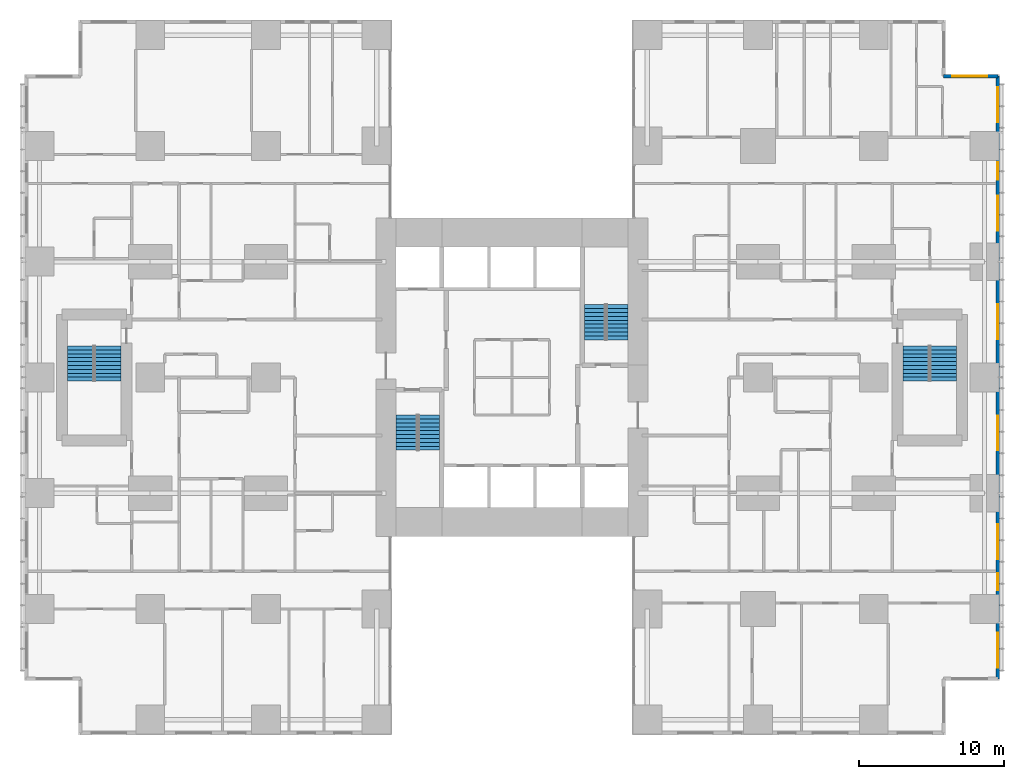
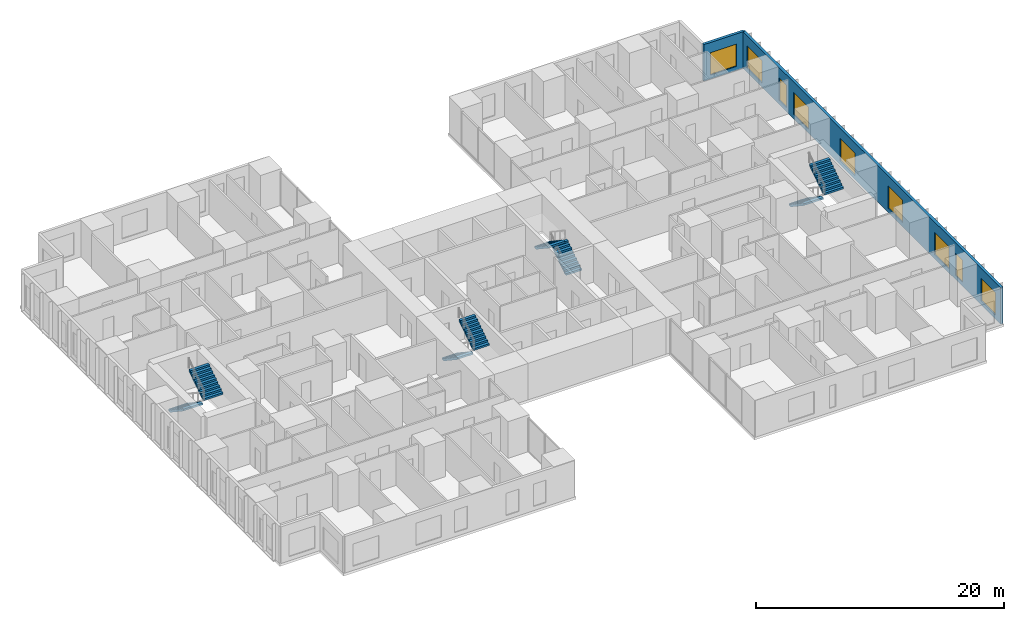
# One storey, part 19 of 20: 9 windows, 8 stair flights, 2 walls, 9 openings, 4 elements without a shape of their own.
"""IFC4 building model written with IfcOpenShell, lengths in metres."""

from ifc_helpers import new_model, si_unit, direction, frame, frame_2d, origin, place, context, subcontext, project, spatial, polyline, rectangle, outline, extrude, material, layer, layer_set, type_object, element, fill, aggregate, save


model = new_model("IFC4")

# Units and contexts
model_context = context("Model", 3, precision=1e-05, world=origin(), true_north=direction((0.0, 1.0)))
body_context = subcontext(model_context, "Body", "Model", "MODEL_VIEW")
ifc_project = project(units=[si_unit("LENGTHUNIT", "METRE"), si_unit("AREAUNIT", "SQUARE_METRE"), si_unit("VOLUMEUNIT", "CUBIC_METRE"), si_unit("PLANEANGLEUNIT", "RADIAN"), si_unit("MASSUNIT", "GRAM", prefix="KILO")], contexts=[model_context])

# Site, building, storey
site_placement = place(None, origin())
site = spatial("IfcSite", under=ifc_project, at=site_placement, CompositionType="ELEMENT")
building_placement = place(site_placement, origin())
building = spatial("IfcBuilding", under=site, at=building_placement, Name="Cleftline Residences", CompositionType="ELEMENT")
storey_placement = place(building_placement, frame((0.0, 0.0, 139.39990234375)))
storey = spatial("IfcBuildingStorey", under=building, at=storey_placement, Name="L36", CompositionType="ELEMENT", Elevation=139.39990234375)

# Wall, openings, windows
ifc_material_1 = material(Name="Rendered reinforced concrete blockwork", Category="masonry")
ifc_layer = layer(ifc_material_1, 0.25)
ifc_layer_set = layer_set([ifc_layer], Name="EXTERNAL WALL 250")
wall_type = type_object("IfcWallType", Name="EXTERNAL WALL 250", PredefinedType="SOLIDWALL", material=ifc_layer_set)
wall_1_placement = place(storey_placement, frame((66.574951171875, 3.175048828125, 0.0), z_axis=(0.0, 0.0, 1.0), x_axis=(0.0, 1.0, 0.0)))
wall_1 = element("IfcWall", 1, at=wall_1_placement, inside=storey, type_object=wall_type, Name="External wall", PredefinedType="SOLIDWALL", context=body_context, shape_type="SweptSolid", body=[
    extrude(rectangle(XDim=41.64990234375, YDim=0.25, at=frame_2d((20.824951171875, 0.0))), origin(), (0.0, 0.0, 1.0), 3.60009765625),
])
opening_1_placement = place(wall_1_placement, frame((0.77490234375, 0.0, 0.39990234375)))
opening_1 = element("IfcOpeningElement", 2, at=opening_1_placement, cuts=wall_1, Name="Opening W12", PredefinedType="OPENING", context=body_context, shape_type="SweptSolid", body=[
    extrude(rectangle(XDim=2.39990234375, YDim=2.199951171875, at=frame_2d((1.199951171875, 1.10009765625))), frame((0.0, 0.135009765625, 0.0), z_axis=(0.0, -1.0, 0.0), x_axis=(1.0, 0.0, 0.0)), (0.0, 0.0, 1.0), 0.27001953125),
])
opening_2_placement = place(wall_1_placement, frame((6.10009765625, 0.0, 0.39990234375)))
opening_2 = element("IfcOpeningElement", 3, at=opening_2_placement, cuts=wall_1, Name="Opening W11", PredefinedType="OPENING", context=body_context, shape_type="SweptSolid", body=[
    extrude(rectangle(XDim=1.199951171875, YDim=2.199951171875, at=frame_2d((0.60009765625, 1.10009765625))), frame((0.0, 0.135009765625, 0.0), z_axis=(0.0, -1.0, 0.0), x_axis=(1.0, 0.0, 0.0)), (0.0, 0.0, 1.0), 0.27001953125),
])
opening_3_placement = place(wall_1_placement, frame((8.27490234375, 0.0, 0.39990234375)))
opening_3 = element("IfcOpeningElement", 4, at=opening_3_placement, cuts=wall_1, Name="Opening W12", PredefinedType="OPENING", context=body_context, shape_type="SweptSolid", body=[
    extrude(rectangle(XDim=2.39990234375, YDim=2.199951171875, at=frame_2d((1.199951171875, 1.10009765625))), frame((0.0, 0.135009765625, 0.0), z_axis=(0.0, -1.0, 0.0), x_axis=(1.0, 0.0, 0.0)), (0.0, 0.0, 1.0), 0.27001953125),
])
opening_4_placement = place(wall_1_placement, frame((15.77490234375, 0.0, 0.39990234375)))
opening_4 = element("IfcOpeningElement", 5, at=opening_4_placement, cuts=wall_1, Name="Opening W12", PredefinedType="OPENING", context=body_context, shape_type="SweptSolid", body=[
    extrude(rectangle(XDim=2.39990234375, YDim=2.199951171875, at=frame_2d((1.199951171875, 1.10009765625))), frame((0.0, 0.135009765625, 0.0), z_axis=(0.0, -1.0, 0.0), x_axis=(1.0, 0.0, 0.0)), (0.0, 0.0, 1.0), 0.27001953125),
])
opening_5_placement = place(wall_1_placement, frame((23.47509765625, 0.0, 0.39990234375)))
opening_5 = element("IfcOpeningElement", 6, at=opening_5_placement, cuts=wall_1, Name="Opening W12", PredefinedType="OPENING", context=body_context, shape_type="SweptSolid", body=[
    extrude(rectangle(XDim=2.39990234375, YDim=2.199951171875, at=frame_2d((1.199951171875, 1.10009765625))), frame((0.0, 0.135009765625, 0.0), z_axis=(0.0, -1.0, 0.0), x_axis=(1.0, 0.0, 0.0)), (0.0, 0.0, 1.0), 0.27001953125),
])
opening_6_placement = place(wall_1_placement, frame((30.97509765625, 0.0, 0.39990234375)))
opening_6 = element("IfcOpeningElement", 7, at=opening_6_placement, cuts=wall_1, Name="Opening W12", PredefinedType="OPENING", context=body_context, shape_type="SweptSolid", body=[
    extrude(rectangle(XDim=2.39990234375, YDim=2.199951171875, at=frame_2d((1.199951171875, 1.10009765625))), frame((0.0, 0.135009765625, 0.0), z_axis=(0.0, -1.0, 0.0), x_axis=(1.0, 0.0, 0.0)), (0.0, 0.0, 1.0), 0.27001953125),
])
opening_7_placement = place(wall_1_placement, frame((34.5, 0.0, 0.39990234375)))
opening_7 = element("IfcOpeningElement", 8, at=opening_7_placement, cuts=wall_1, Name="Opening W11", PredefinedType="OPENING", context=body_context, shape_type="SweptSolid", body=[
    extrude(rectangle(XDim=1.199951171875, YDim=2.199951171875, at=frame_2d((0.60009765625, 1.10009765625))), frame((0.0, 0.135009765625, 0.0), z_axis=(0.0, -1.0, 0.0), x_axis=(1.0, 0.0, 0.0)), (0.0, 0.0, 1.0), 0.27001953125),
])
opening_8_placement = place(wall_1_placement, frame((38.47509765625, 0.0, 0.39990234375)))
opening_8 = element("IfcOpeningElement", 9, at=opening_8_placement, cuts=wall_1, Name="Opening W12", PredefinedType="OPENING", context=body_context, shape_type="SweptSolid", body=[
    extrude(rectangle(XDim=2.39990234375, YDim=2.199951171875, at=frame_2d((1.199951171875, 1.10009765625))), frame((0.0, 0.135009765625, 0.0), z_axis=(0.0, -1.0, 0.0), x_axis=(1.0, 0.0, 0.0)), (0.0, 0.0, 1.0), 0.27001953125),
])
ifc_material_2 = material(Name="Aluminium frame, clear double glazing", Category="aluminium")
window_type_1 = type_object("IfcWindowType", Name="WINDOW 1200X2200", PartitioningType="DOUBLE_PANEL_VERTICAL", PredefinedType="WINDOW", material=ifc_material_2)
window_1_placement = place(opening_2_placement, origin())
window_1 = element("IfcWindow", 10, at=window_1_placement, inside=storey, type_object=window_type_1, Name="Window", OverallHeight=2.199951171875, OverallWidth=1.199951171875, PartitioningType="SINGLE_PANEL", PredefinedType="WINDOW", context=body_context, shape_type="SweptSolid", body=[
    extrude(rectangle(XDim=1.199951171875, YDim=2.199951171875, at=frame_2d((0.60009765625, 1.10009765625))), frame((0.0, 0.030029296875, 0.0), z_axis=(0.0, -1.0, 0.0), x_axis=(1.0, 0.0, 0.0)), (0.0, 0.0, 1.0), 0.06005859375),
])
fill(opening_2, window_1)
window_2_placement = place(opening_7_placement, origin())
window_2 = element("IfcWindow", 11, at=window_2_placement, inside=storey, type_object=window_type_1, Name="Window", OverallHeight=2.199951171875, OverallWidth=1.199951171875, PartitioningType="SINGLE_PANEL", PredefinedType="WINDOW", context=body_context, shape_type="SweptSolid", body=[
    extrude(rectangle(XDim=1.199951171875, YDim=2.199951171875, at=frame_2d((0.60009765625, 1.10009765625))), frame((0.0, 0.030029296875, 0.0), z_axis=(0.0, -1.0, 0.0), x_axis=(1.0, 0.0, 0.0)), (0.0, 0.0, 1.0), 0.06005859375),
])
fill(opening_7, window_2)
ifc_material_3 = material(Name="Aluminium frame, clear double glazing", Category="aluminium")
window_type_2 = type_object("IfcWindowType", Name="WINDOW 2400X2200", PartitioningType="DOUBLE_PANEL_VERTICAL", PredefinedType="WINDOW", material=ifc_material_3)
window_3_placement = place(opening_1_placement, origin())
window_3 = element("IfcWindow", 12, at=window_3_placement, inside=storey, type_object=window_type_2, Name="Window", OverallHeight=2.199951171875, OverallWidth=2.39990234375, PartitioningType="SINGLE_PANEL", PredefinedType="WINDOW", context=body_context, shape_type="SweptSolid", body=[
    extrude(rectangle(XDim=2.39990234375, YDim=2.199951171875, at=frame_2d((1.199951171875, 1.10009765625))), frame((0.0, 0.030029296875, 0.0), z_axis=(0.0, -1.0, 0.0), x_axis=(1.0, 0.0, 0.0)), (0.0, 0.0, 1.0), 0.06005859375),
])
fill(opening_1, window_3)
window_4_placement = place(opening_3_placement, origin())
window_4 = element("IfcWindow", 13, at=window_4_placement, inside=storey, type_object=window_type_2, Name="Window", OverallHeight=2.199951171875, OverallWidth=2.39990234375, PartitioningType="SINGLE_PANEL", PredefinedType="WINDOW", context=body_context, shape_type="SweptSolid", body=[
    extrude(rectangle(XDim=2.39990234375, YDim=2.199951171875, at=frame_2d((1.199951171875, 1.10009765625))), frame((0.0, 0.030029296875, 0.0), z_axis=(0.0, -1.0, 0.0), x_axis=(1.0, 0.0, 0.0)), (0.0, 0.0, 1.0), 0.06005859375),
])
fill(opening_3, window_4)
window_5_placement = place(opening_4_placement, origin())
window_5 = element("IfcWindow", 14, at=window_5_placement, inside=storey, type_object=window_type_2, Name="Window", OverallHeight=2.199951171875, OverallWidth=2.39990234375, PartitioningType="SINGLE_PANEL", PredefinedType="WINDOW", context=body_context, shape_type="SweptSolid", body=[
    extrude(rectangle(XDim=2.39990234375, YDim=2.199951171875, at=frame_2d((1.199951171875, 1.10009765625))), frame((0.0, 0.030029296875, 0.0), z_axis=(0.0, -1.0, 0.0), x_axis=(1.0, 0.0, 0.0)), (0.0, 0.0, 1.0), 0.06005859375),
])
fill(opening_4, window_5)
window_6_placement = place(opening_5_placement, origin())
window_6 = element("IfcWindow", 15, at=window_6_placement, inside=storey, type_object=window_type_2, Name="Window", OverallHeight=2.199951171875, OverallWidth=2.39990234375, PartitioningType="SINGLE_PANEL", PredefinedType="WINDOW", context=body_context, shape_type="SweptSolid", body=[
    extrude(rectangle(XDim=2.39990234375, YDim=2.199951171875, at=frame_2d((1.199951171875, 1.10009765625))), frame((0.0, 0.030029296875, 0.0), z_axis=(0.0, -1.0, 0.0), x_axis=(1.0, 0.0, 0.0)), (0.0, 0.0, 1.0), 0.06005859375),
])
fill(opening_5, window_6)
window_7_placement = place(opening_6_placement, origin())
window_7 = element("IfcWindow", 16, at=window_7_placement, inside=storey, type_object=window_type_2, Name="Window", OverallHeight=2.199951171875, OverallWidth=2.39990234375, PartitioningType="SINGLE_PANEL", PredefinedType="WINDOW", context=body_context, shape_type="SweptSolid", body=[
    extrude(rectangle(XDim=2.39990234375, YDim=2.199951171875, at=frame_2d((1.199951171875, 1.10009765625))), frame((0.0, 0.030029296875, 0.0), z_axis=(0.0, -1.0, 0.0), x_axis=(1.0, 0.0, 0.0)), (0.0, 0.0, 1.0), 0.06005859375),
])
fill(opening_6, window_7)
window_8_placement = place(opening_8_placement, origin())
window_8 = element("IfcWindow", 17, at=window_8_placement, inside=storey, type_object=window_type_2, Name="Window", OverallHeight=2.199951171875, OverallWidth=2.39990234375, PartitioningType="SINGLE_PANEL", PredefinedType="WINDOW", context=body_context, shape_type="SweptSolid", body=[
    extrude(rectangle(XDim=2.39990234375, YDim=2.199951171875, at=frame_2d((1.199951171875, 1.10009765625))), frame((0.0, 0.030029296875, 0.0), z_axis=(0.0, -1.0, 0.0), x_axis=(1.0, 0.0, 0.0)), (0.0, 0.0, 1.0), 0.06005859375),
])
fill(opening_8, window_8)

# Wall, opening, window
wall_2_placement = place(storey_placement, frame((66.574951171875, 44.824951171875, 0.0), z_axis=(0.0, 0.0, 1.0), x_axis=(-1.0, 0.0, 0.0)))
wall_2 = element("IfcWall", 18, at=wall_2_placement, inside=storey, type_object=wall_type, Name="External wall", PredefinedType="SOLIDWALL", context=body_context, shape_type="SweptSolid", body=[
    extrude(rectangle(XDim=3.75, YDim=0.25, at=frame_2d((1.875, 0.0))), origin(), (0.0, 0.0, 1.0), 3.60009765625),
])
opening_9_placement = place(wall_2_placement, frame((0.737548828125, 0.0, 0.39990234375)))
opening_9 = element("IfcOpeningElement", 19, at=opening_9_placement, cuts=wall_2, Name="Opening W12", PredefinedType="OPENING", context=body_context, shape_type="SweptSolid", body=[
    extrude(rectangle(XDim=2.39990234375, YDim=2.199951171875, at=frame_2d((1.199951171875, 1.10009765625))), frame((0.0, 0.135009765625, 0.0), z_axis=(0.0, -1.0, 0.0), x_axis=(1.0, 0.0, 0.0)), (0.0, 0.0, 1.0), 0.27001953125),
])
window_9_placement = place(opening_9_placement, origin())
window_9 = element("IfcWindow", 20, at=window_9_placement, inside=storey, type_object=window_type_2, Name="Window", OverallHeight=2.199951171875, OverallWidth=2.39990234375, PartitioningType="SINGLE_PANEL", PredefinedType="WINDOW", context=body_context, shape_type="SweptSolid", body=[
    extrude(rectangle(XDim=2.39990234375, YDim=2.199951171875, at=frame_2d((1.199951171875, 1.10009765625))), frame((0.0, 0.030029296875, 0.0), z_axis=(0.0, -1.0, 0.0), x_axis=(1.0, 0.0, 0.0)), (0.0, 0.0, 1.0), 0.06005859375),
])
fill(opening_9, window_9)

# Stair, stair flights
ifc_material_4 = material(Name="Concrete B45, stone treads", Category="masonry")
stair_type_1 = type_object("IfcStairType", Name="STAIR A 1450 WIDE 180 RISER", PredefinedType="HALF_TURN_STAIR", material=ifc_material_4)
stair_1_placement = place(storey_placement, origin())
stair_1 = element("IfcStair", 21, at=stair_1_placement, inside=storey, type_object=stair_type_1, Name="Stair A L36", PredefinedType="HALF_TURN_STAIR")
ifc_material_5 = material(Name="Concrete B45", Category="concrete")
stair_flight_type_1 = type_object("IfcStairFlightType", Name="STAIR A FLIGHT 1450X180", PredefinedType="STRAIGHT", material=ifc_material_5)
stair_flight_1_placement = place(storey_placement, frame((25.72509765625, 21.39990234375, 0.0), z_axis=(0.0, 0.0, 1.0), x_axis=(0.0, -1.0, 0.0)))
stair_flight_1 = element("IfcStairFlight", 22, at=stair_flight_1_placement, type_object=stair_flight_type_1, Name="ST-A flight 1", NumberOfRisers=10, NumberOfTreads=9, PredefinedType="STRAIGHT", RiserHeight=0.18, TreadLength=0.27, context=body_context, shape_type="SweptSolid", body=[
    extrude(outline(polyline([(0.0, 0.0), (0.0, 0.013916015625), (0.0, 0.027587890625), (0.0, 0.04150390625), (0.0, 0.055419921875), (0.0, 0.0693359375), (0.0, 0.0830078125), (0.0, 0.096923828125), (0.0, 0.11083984375), (0.0, 0.12451171875), (0.0, 0.138427734375), (0.0, 0.15234375), (0.0, 0.166259765625), (0.0, 0.179931640625), (0.27001953125, 0.179931640625), (0.27001953125, 0.360107421875), (0.5400390625, 0.360107421875), (0.5400390625, 0.5400390625), (0.81005859375, 0.5400390625), (0.81005859375, 0.719970703125), (1.080078125, 0.719970703125), (1.080078125, 0.89990234375), (1.35009765625, 0.89990234375), (1.35009765625, 1.080078125), (1.6201171875, 1.080078125), (1.6201171875, 1.260009765625), (1.889892578125, 1.260009765625), (1.889892578125, 1.43994140625), (2.159912109375, 1.43994140625), (2.159912109375, 1.6201171875), (2.429931640625, 1.6201171875), (2.429931640625, 1.800048828125), (2.429931640625, 1.772216796875), (2.429931640625, 1.74462890625), (2.429931640625, 1.716796875), (2.429931640625, 1.689208984375), (2.429931640625, 1.661376953125), (2.429931640625, 1.6337890625), (2.429931640625, 1.60595703125), (2.429931640625, 1.578369140625), (2.429931640625, 1.550537109375), (2.429931640625, 1.52294921875), (2.429931640625, 1.495361328125), (2.429931640625, 1.467529296875), (2.429931640625, 1.43994140625), (0.270263671875, 0.0), (0.0, 0.0)])), frame((0.0, 0.72509765625, 0.0), z_axis=(0.0, -1.0, 0.0), x_axis=(1.0, 0.0, 0.0)), (0.0, 0.0, 1.0), 1.449951171875),
])
stair_flight_2_placement = place(storey_placement, frame((27.27490234375, 18.969970703125, 1.800048828125), z_axis=(0.0, 0.0, 1.0), x_axis=(0.0, 1.0, 0.0)))
stair_flight_2 = element("IfcStairFlight", 23, at=stair_flight_2_placement, type_object=stair_flight_type_1, Name="ST-A flight 2", NumberOfRisers=10, NumberOfTreads=9, PredefinedType="STRAIGHT", RiserHeight=0.18, TreadLength=0.27, context=body_context, shape_type="SweptSolid", body=[
    extrude(outline(polyline([(0.0, 0.0), (0.0, 0.013916015625), (0.0, 0.027587890625), (0.0, 0.04150390625), (0.0, 0.055419921875), (0.0, 0.0693359375), (0.0, 0.0830078125), (0.0, 0.096923828125), (0.0, 0.11083984375), (0.0, 0.12451171875), (0.0, 0.138427734375), (0.0, 0.15234375), (0.0, 0.166259765625), (0.0, 0.179931640625), (0.27001953125, 0.179931640625), (0.27001953125, 0.360107421875), (0.5400390625, 0.360107421875), (0.5400390625, 0.5400390625), (0.81005859375, 0.5400390625), (0.81005859375, 0.719970703125), (1.080078125, 0.719970703125), (1.080078125, 0.89990234375), (1.35009765625, 0.89990234375), (1.35009765625, 1.080078125), (1.6201171875, 1.080078125), (1.6201171875, 1.260009765625), (1.889892578125, 1.260009765625), (1.889892578125, 1.43994140625), (2.159912109375, 1.43994140625), (2.159912109375, 1.6201171875), (2.429931640625, 1.6201171875), (2.429931640625, 1.800048828125), (2.429931640625, 1.772216796875), (2.429931640625, 1.74462890625), (2.429931640625, 1.716796875), (2.429931640625, 1.689208984375), (2.429931640625, 1.661376953125), (2.429931640625, 1.6337890625), (2.429931640625, 1.60595703125), (2.429931640625, 1.578369140625), (2.429931640625, 1.550537109375), (2.429931640625, 1.52294921875), (2.429931640625, 1.495361328125), (2.429931640625, 1.467529296875), (2.429931640625, 1.43994140625), (0.270263671875, 0.0), (0.0, 0.0)])), frame((0.0, 0.72509765625, 0.0), z_axis=(0.0, -1.0, 0.0), x_axis=(1.0, 0.0, 0.0)), (0.0, 0.0, 1.0), 1.449951171875),
])
aggregate(stair_1, [stair_flight_1, stair_flight_2])

ifc_material_6 = material(Name="Concrete B45, stone treads", Category="masonry")
stair_type_2 = type_object("IfcStairType", Name="STAIR B 1450 WIDE 180 RISER", PredefinedType="HALF_TURN_STAIR", material=ifc_material_6)
stair_2_placement = place(storey_placement, origin())
stair_2 = element("IfcStair", 24, at=stair_2_placement, inside=storey, type_object=stair_type_2, Name="Stair B L36", PredefinedType="HALF_TURN_STAIR")
ifc_material_7 = material(Name="Concrete B45", Category="concrete")
stair_flight_type_2 = type_object("IfcStairFlightType", Name="STAIR B FLIGHT 1450X180", PredefinedType="STRAIGHT", material=ifc_material_7)
stair_flight_3_placement = place(storey_placement, frame((40.27490234375, 26.60009765625, 0.0), z_axis=(0.0, 0.0, 1.0), x_axis=(0.0, 1.0, 0.0)))
stair_flight_3 = element("IfcStairFlight", 25, at=stair_flight_3_placement, type_object=stair_flight_type_2, Name="ST-B flight 1", NumberOfRisers=10, NumberOfTreads=9, PredefinedType="STRAIGHT", RiserHeight=0.18, TreadLength=0.27, context=body_context, shape_type="SweptSolid", body=[
    extrude(outline(polyline([(0.0, 0.0), (0.0, 0.013916015625), (0.0, 0.027587890625), (0.0, 0.04150390625), (0.0, 0.055419921875), (0.0, 0.0693359375), (0.0, 0.0830078125), (0.0, 0.096923828125), (0.0, 0.11083984375), (0.0, 0.12451171875), (0.0, 0.138427734375), (0.0, 0.15234375), (0.0, 0.166259765625), (0.0, 0.179931640625), (0.27001953125, 0.179931640625), (0.27001953125, 0.360107421875), (0.5400390625, 0.360107421875), (0.5400390625, 0.5400390625), (0.81005859375, 0.5400390625), (0.81005859375, 0.719970703125), (1.080078125, 0.719970703125), (1.080078125, 0.89990234375), (1.35009765625, 0.89990234375), (1.35009765625, 1.080078125), (1.6201171875, 1.080078125), (1.6201171875, 1.260009765625), (1.889892578125, 1.260009765625), (1.889892578125, 1.43994140625), (2.159912109375, 1.43994140625), (2.159912109375, 1.6201171875), (2.429931640625, 1.6201171875), (2.429931640625, 1.800048828125), (2.429931640625, 1.772216796875), (2.429931640625, 1.74462890625), (2.429931640625, 1.716796875), (2.429931640625, 1.689208984375), (2.429931640625, 1.661376953125), (2.429931640625, 1.6337890625), (2.429931640625, 1.60595703125), (2.429931640625, 1.578369140625), (2.429931640625, 1.550537109375), (2.429931640625, 1.52294921875), (2.429931640625, 1.495361328125), (2.429931640625, 1.467529296875), (2.429931640625, 1.43994140625), (0.270263671875, 0.0), (0.0, 0.0)])), frame((0.0, 0.72509765625, 0.0), z_axis=(0.0, -1.0, 0.0), x_axis=(1.0, 0.0, 0.0)), (0.0, 0.0, 1.0), 1.449951171875),
])
stair_flight_4_placement = place(storey_placement, frame((38.72509765625, 29.030029296875, 1.800048828125), z_axis=(0.0, 0.0, 1.0), x_axis=(0.0, -1.0, 0.0)))
stair_flight_4 = element("IfcStairFlight", 26, at=stair_flight_4_placement, type_object=stair_flight_type_2, Name="ST-B flight 2", NumberOfRisers=10, NumberOfTreads=9, PredefinedType="STRAIGHT", RiserHeight=0.18, TreadLength=0.27, context=body_context, shape_type="SweptSolid", body=[
    extrude(outline(polyline([(0.0, 0.0), (0.0, 0.013916015625), (0.0, 0.027587890625), (0.0, 0.04150390625), (0.0, 0.055419921875), (0.0, 0.0693359375), (0.0, 0.0830078125), (0.0, 0.096923828125), (0.0, 0.11083984375), (0.0, 0.12451171875), (0.0, 0.138427734375), (0.0, 0.15234375), (0.0, 0.166259765625), (0.0, 0.179931640625), (0.27001953125, 0.179931640625), (0.27001953125, 0.360107421875), (0.5400390625, 0.360107421875), (0.5400390625, 0.5400390625), (0.81005859375, 0.5400390625), (0.81005859375, 0.719970703125), (1.080078125, 0.719970703125), (1.080078125, 0.89990234375), (1.35009765625, 0.89990234375), (1.35009765625, 1.080078125), (1.6201171875, 1.080078125), (1.6201171875, 1.260009765625), (1.889892578125, 1.260009765625), (1.889892578125, 1.43994140625), (2.159912109375, 1.43994140625), (2.159912109375, 1.6201171875), (2.429931640625, 1.6201171875), (2.429931640625, 1.800048828125), (2.429931640625, 1.772216796875), (2.429931640625, 1.74462890625), (2.429931640625, 1.716796875), (2.429931640625, 1.689208984375), (2.429931640625, 1.661376953125), (2.429931640625, 1.6337890625), (2.429931640625, 1.60595703125), (2.429931640625, 1.578369140625), (2.429931640625, 1.550537109375), (2.429931640625, 1.52294921875), (2.429931640625, 1.495361328125), (2.429931640625, 1.467529296875), (2.429931640625, 1.43994140625), (0.270263671875, 0.0), (0.0, 0.0)])), frame((0.0, 0.72509765625, 0.0), z_axis=(0.0, -1.0, 0.0), x_axis=(1.0, 0.0, 0.0)), (0.0, 0.0, 1.0), 1.449951171875),
])
aggregate(stair_2, [stair_flight_3, stair_flight_4])

ifc_material_8 = material(Name="Concrete B45, stone treads", Category="masonry")
stair_type_3 = type_object("IfcStairType", Name="STAIR E 1800 WIDE 180 RISER", PredefinedType="HALF_TURN_STAIR", material=ifc_material_8)
stair_3_placement = place(storey_placement, origin())
stair_3 = element("IfcStair", 27, at=stair_3_placement, inside=storey, type_object=stair_type_3, Name="Stair E L36", PredefinedType="HALF_TURN_STAIR")
ifc_material_9 = material(Name="Concrete B45", Category="concrete")
stair_flight_type_3 = type_object("IfcStairFlightType", Name="STAIR E FLIGHT 1800X180", PredefinedType="STRAIGHT", material=ifc_material_9)
stair_flight_5_placement = place(storey_placement, frame((60.925048828125, 26.175048828125, 0.0), z_axis=(0.0, 0.0, 1.0), x_axis=(0.0, -1.0, 0.0)))
stair_flight_5 = element("IfcStairFlight", 28, at=stair_flight_5_placement, type_object=stair_flight_type_3, Name="ST-E flight 1", NumberOfRisers=10, NumberOfTreads=9, PredefinedType="STRAIGHT", RiserHeight=0.18, TreadLength=0.27, context=body_context, shape_type="SweptSolid", body=[
    extrude(outline(polyline([(0.0, 0.0), (0.0, 0.013916015625), (0.0, 0.027587890625), (0.0, 0.04150390625), (0.0, 0.055419921875), (0.0, 0.0693359375), (0.0, 0.0830078125), (0.0, 0.096923828125), (0.0, 0.11083984375), (0.0, 0.12451171875), (0.0, 0.138427734375), (0.0, 0.15234375), (0.0, 0.166259765625), (0.0, 0.179931640625), (0.27001953125, 0.179931640625), (0.27001953125, 0.360107421875), (0.5400390625, 0.360107421875), (0.5400390625, 0.5400390625), (0.81005859375, 0.5400390625), (0.81005859375, 0.719970703125), (1.080078125, 0.719970703125), (1.080078125, 0.89990234375), (1.35009765625, 0.89990234375), (1.35009765625, 1.080078125), (1.6201171875, 1.080078125), (1.6201171875, 1.260009765625), (1.889892578125, 1.260009765625), (1.889892578125, 1.43994140625), (2.159912109375, 1.43994140625), (2.159912109375, 1.6201171875), (2.429931640625, 1.6201171875), (2.429931640625, 1.800048828125), (2.429931640625, 1.772216796875), (2.429931640625, 1.74462890625), (2.429931640625, 1.716796875), (2.429931640625, 1.689208984375), (2.429931640625, 1.661376953125), (2.429931640625, 1.6337890625), (2.429931640625, 1.60595703125), (2.429931640625, 1.578369140625), (2.429931640625, 1.550537109375), (2.429931640625, 1.52294921875), (2.429931640625, 1.495361328125), (2.429931640625, 1.467529296875), (2.429931640625, 1.43994140625), (0.270263671875, 0.0), (0.0, 0.0)])), frame((0.0, 0.89990234375, 0.0), z_axis=(0.0, -1.0, 0.0), x_axis=(1.0, 0.0, 0.0)), (0.0, 0.0, 1.0), 1.800048828125),
])
stair_flight_6_placement = place(storey_placement, frame((62.824951171875, 23.7451171875, 1.800048828125), z_axis=(0.0, 0.0, 1.0), x_axis=(0.0, 1.0, 0.0)))
stair_flight_6 = element("IfcStairFlight", 29, at=stair_flight_6_placement, type_object=stair_flight_type_3, Name="ST-E flight 2", NumberOfRisers=10, NumberOfTreads=9, PredefinedType="STRAIGHT", RiserHeight=0.18, TreadLength=0.27, context=body_context, shape_type="SweptSolid", body=[
    extrude(outline(polyline([(0.0, 0.0), (0.0, 0.013916015625), (0.0, 0.027587890625), (0.0, 0.04150390625), (0.0, 0.055419921875), (0.0, 0.0693359375), (0.0, 0.0830078125), (0.0, 0.096923828125), (0.0, 0.11083984375), (0.0, 0.12451171875), (0.0, 0.138427734375), (0.0, 0.15234375), (0.0, 0.166259765625), (0.0, 0.179931640625), (0.27001953125, 0.179931640625), (0.27001953125, 0.360107421875), (0.5400390625, 0.360107421875), (0.5400390625, 0.5400390625), (0.81005859375, 0.5400390625), (0.81005859375, 0.719970703125), (1.080078125, 0.719970703125), (1.080078125, 0.89990234375), (1.35009765625, 0.89990234375), (1.35009765625, 1.080078125), (1.6201171875, 1.080078125), (1.6201171875, 1.260009765625), (1.889892578125, 1.260009765625), (1.889892578125, 1.43994140625), (2.159912109375, 1.43994140625), (2.159912109375, 1.6201171875), (2.429931640625, 1.6201171875), (2.429931640625, 1.800048828125), (2.429931640625, 1.772216796875), (2.429931640625, 1.74462890625), (2.429931640625, 1.716796875), (2.429931640625, 1.689208984375), (2.429931640625, 1.661376953125), (2.429931640625, 1.6337890625), (2.429931640625, 1.60595703125), (2.429931640625, 1.578369140625), (2.429931640625, 1.550537109375), (2.429931640625, 1.52294921875), (2.429931640625, 1.495361328125), (2.429931640625, 1.467529296875), (2.429931640625, 1.43994140625), (0.270263671875, 0.0), (0.0, 0.0)])), frame((0.0, 0.89990234375, 0.0), z_axis=(0.0, -1.0, 0.0), x_axis=(1.0, 0.0, 0.0)), (0.0, 0.0, 1.0), 1.800048828125),
])
aggregate(stair_3, [stair_flight_5, stair_flight_6])

ifc_material_10 = material(Name="Concrete B45, stone treads", Category="masonry")
stair_type_4 = type_object("IfcStairType", Name="STAIR W 1800 WIDE 180 RISER", PredefinedType="HALF_TURN_STAIR", material=ifc_material_10)
stair_4_placement = place(storey_placement, origin())
stair_4 = element("IfcStair", 30, at=stair_4_placement, inside=storey, type_object=stair_type_4, Name="Stair W L36", PredefinedType="HALF_TURN_STAIR")
ifc_material_11 = material(Name="Concrete B45", Category="concrete")
stair_flight_type_4 = type_object("IfcStairFlightType", Name="STAIR W FLIGHT 1800X180", PredefinedType="STRAIGHT", material=ifc_material_11)
stair_flight_7_placement = place(storey_placement, frame((3.175048828125, 26.175048828125, 0.0), z_axis=(0.0, 0.0, 1.0), x_axis=(0.0, -1.0, 0.0)))
stair_flight_7 = element("IfcStairFlight", 31, at=stair_flight_7_placement, type_object=stair_flight_type_4, Name="ST-W flight 1", NumberOfRisers=10, NumberOfTreads=9, PredefinedType="STRAIGHT", RiserHeight=0.18, TreadLength=0.27, context=body_context, shape_type="SweptSolid", body=[
    extrude(outline(polyline([(0.0, 0.0), (0.0, 0.013916015625), (0.0, 0.027587890625), (0.0, 0.04150390625), (0.0, 0.055419921875), (0.0, 0.0693359375), (0.0, 0.0830078125), (0.0, 0.096923828125), (0.0, 0.11083984375), (0.0, 0.12451171875), (0.0, 0.138427734375), (0.0, 0.15234375), (0.0, 0.166259765625), (0.0, 0.179931640625), (0.27001953125, 0.179931640625), (0.27001953125, 0.360107421875), (0.5400390625, 0.360107421875), (0.5400390625, 0.5400390625), (0.81005859375, 0.5400390625), (0.81005859375, 0.719970703125), (1.080078125, 0.719970703125), (1.080078125, 0.89990234375), (1.35009765625, 0.89990234375), (1.35009765625, 1.080078125), (1.6201171875, 1.080078125), (1.6201171875, 1.260009765625), (1.889892578125, 1.260009765625), (1.889892578125, 1.43994140625), (2.159912109375, 1.43994140625), (2.159912109375, 1.6201171875), (2.429931640625, 1.6201171875), (2.429931640625, 1.800048828125), (2.429931640625, 1.772216796875), (2.429931640625, 1.74462890625), (2.429931640625, 1.716796875), (2.429931640625, 1.689208984375), (2.429931640625, 1.661376953125), (2.429931640625, 1.6337890625), (2.429931640625, 1.60595703125), (2.429931640625, 1.578369140625), (2.429931640625, 1.550537109375), (2.429931640625, 1.52294921875), (2.429931640625, 1.495361328125), (2.429931640625, 1.467529296875), (2.429931640625, 1.43994140625), (0.270263671875, 0.0), (0.0, 0.0)])), frame((0.0, 0.89990234375, 0.0), z_axis=(0.0, -1.0, 0.0), x_axis=(1.0, 0.0, 0.0)), (0.0, 0.0, 1.0), 1.800048828125),
])
stair_flight_8_placement = place(storey_placement, frame((5.074951171875, 23.7451171875, 1.800048828125), z_axis=(0.0, 0.0, 1.0), x_axis=(0.0, 1.0, 0.0)))
stair_flight_8 = element("IfcStairFlight", 32, at=stair_flight_8_placement, type_object=stair_flight_type_4, Name="ST-W flight 2", NumberOfRisers=10, NumberOfTreads=9, PredefinedType="STRAIGHT", RiserHeight=0.18, TreadLength=0.27, context=body_context, shape_type="SweptSolid", body=[
    extrude(outline(polyline([(0.0, 0.0), (0.0, 0.013916015625), (0.0, 0.027587890625), (0.0, 0.04150390625), (0.0, 0.055419921875), (0.0, 0.0693359375), (0.0, 0.0830078125), (0.0, 0.096923828125), (0.0, 0.11083984375), (0.0, 0.12451171875), (0.0, 0.138427734375), (0.0, 0.15234375), (0.0, 0.166259765625), (0.0, 0.179931640625), (0.27001953125, 0.179931640625), (0.27001953125, 0.360107421875), (0.5400390625, 0.360107421875), (0.5400390625, 0.5400390625), (0.81005859375, 0.5400390625), (0.81005859375, 0.719970703125), (1.080078125, 0.719970703125), (1.080078125, 0.89990234375), (1.35009765625, 0.89990234375), (1.35009765625, 1.080078125), (1.6201171875, 1.080078125), (1.6201171875, 1.260009765625), (1.889892578125, 1.260009765625), (1.889892578125, 1.43994140625), (2.159912109375, 1.43994140625), (2.159912109375, 1.6201171875), (2.429931640625, 1.6201171875), (2.429931640625, 1.800048828125), (2.429931640625, 1.772216796875), (2.429931640625, 1.74462890625), (2.429931640625, 1.716796875), (2.429931640625, 1.689208984375), (2.429931640625, 1.661376953125), (2.429931640625, 1.6337890625), (2.429931640625, 1.60595703125), (2.429931640625, 1.578369140625), (2.429931640625, 1.550537109375), (2.429931640625, 1.52294921875), (2.429931640625, 1.495361328125), (2.429931640625, 1.467529296875), (2.429931640625, 1.43994140625), (0.270263671875, 0.0), (0.0, 0.0)])), frame((0.0, 0.89990234375, 0.0), z_axis=(0.0, -1.0, 0.0), x_axis=(1.0, 0.0, 0.0)), (0.0, 0.0, 1.0), 1.800048828125),
])
aggregate(stair_4, [stair_flight_7, stair_flight_8])

save(model, "model.ifc")
